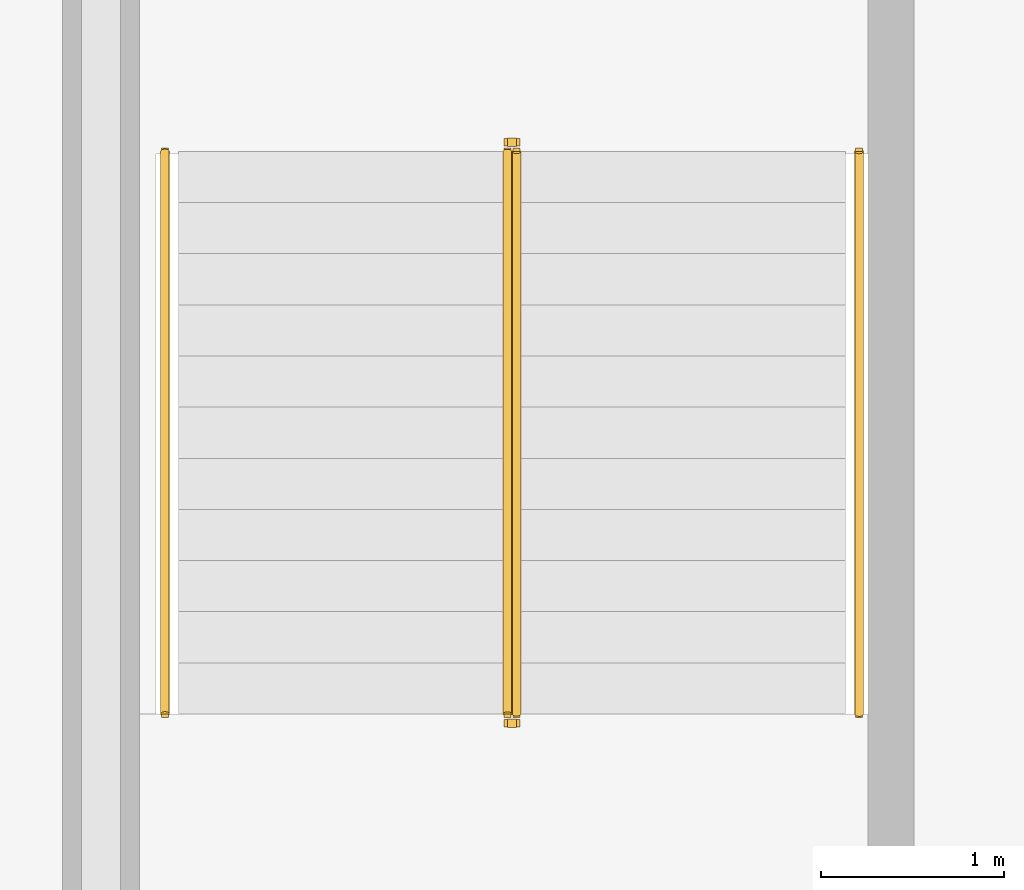
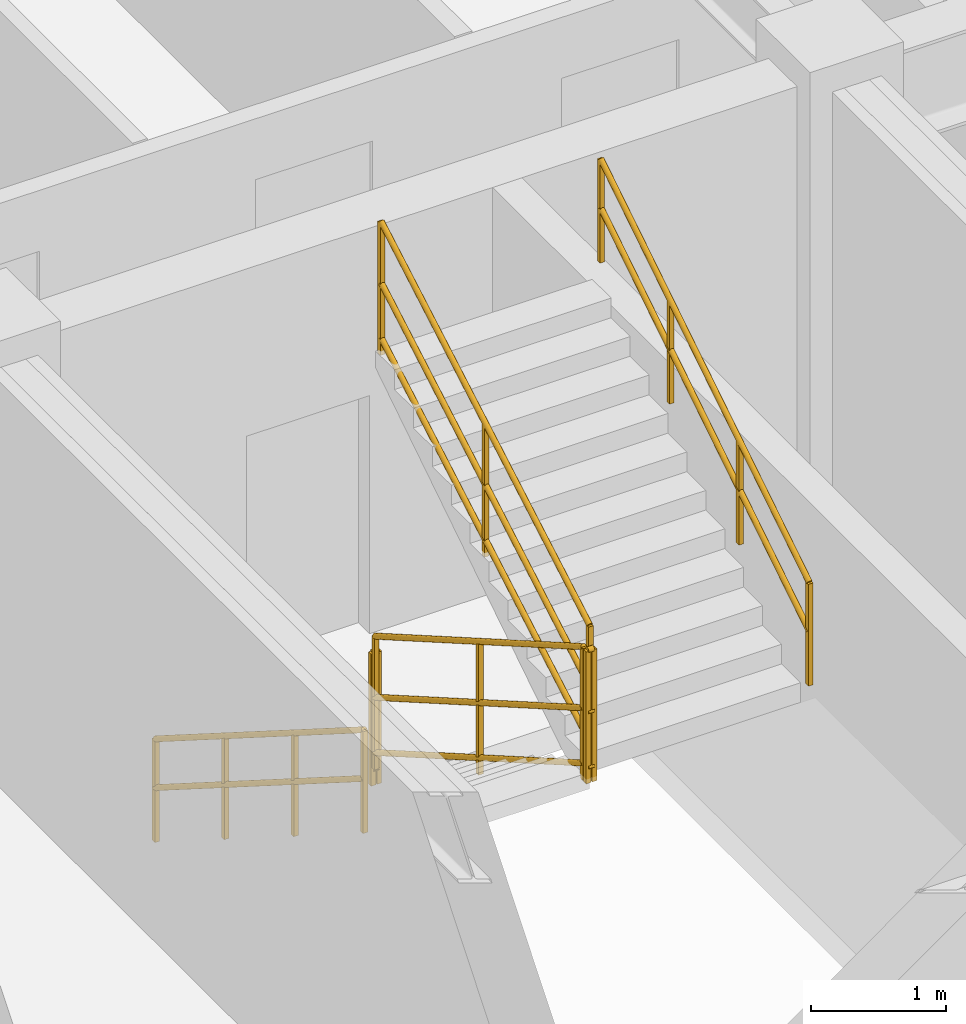
# One storey, part 10 of 10: 6 railings.
"""IFC4 building model written with IfcOpenShell, lengths in metres."""

from ifc_helpers import new_model, entity, si_unit, converted_unit, direction, frame, origin_with_axes, origin_2d_with_axis, place, context, subcontext, project, spatial, rectangle, circle, extrude, material, type_object, element, save


model = new_model("IFC4")

# Units and contexts
model_context = context("Model", 3, precision=1e-05, world=origin_with_axes(), true_north=direction((0.0, 1.0)))
body_context = subcontext(model_context, "Body", "Model", "MODEL_VIEW")
ifc_project = project(units=[si_unit("LENGTHUNIT", "METRE"), si_unit("AREAUNIT", "SQUARE_METRE"), si_unit("VOLUMEUNIT", "CUBIC_METRE"), converted_unit("PLANEANGLEUNIT", "DEGREE", entity("IfcPlaneAngleMeasure", 0.017453292519943295), si_unit("PLANEANGLEUNIT", "RADIAN"), dimensions=[0, 0, 0, 0, 0, 0, 0]), si_unit("MASSUNIT", "GRAM", prefix="KILO"), si_unit("THERMODYNAMICTEMPERATUREUNIT", "KELVIN")], contexts=[model_context])

# Site, building, storey
site_placement = place(None, origin_with_axes())
site = spatial("IfcSite", under=ifc_project, at=site_placement, CompositionType="ELEMENT")
building_placement = place(site_placement, origin_with_axes())
building = spatial("IfcBuilding", under=site, at=building_placement, Name="Varnlund Millrace Tower", CompositionType="ELEMENT")
storey_placement = place(building_placement, frame((0.0, 0.0, 264.6), z_axis=(0.0, 0.0, 1.0), x_axis=(1.0, 0.0, 0.0)))
storey = spatial("IfcBuildingStorey", under=building, at=storey_placement, Name="L65", CompositionType="ELEMENT", Elevation=264.6)

# Railings
ifc_material_1 = material(Name="Painted steel stair well balustrade guard", Category="steel")
railing_type_1 = type_object("IfcRailingType", Name="Type-StairGuard-1150", PredefinedType="GUARDRAIL", material=ifc_material_1)
railing_1_placement = place(storey_placement, frame((0.0, 0.0, -264.6), z_axis=(0.0, 0.0, 1.0), x_axis=(1.0, 0.0, 0.0)))
element("IfcRailing", 1, at=railing_1_placement, inside=storey, type_object=railing_type_1, Name="Type-StairGuard-1150", PredefinedType="GUARDRAIL", context=body_context, shape_type="SweptSolid", body=[
    extrude(circle(Radius=0.024, at=origin_2d_with_axis()), frame((13.625, 35.9, 265.927273), z_axis=(0.0, -0.866696, 0.498836), x_axis=(1.0, 0.0, 0.0)), (0.0, 0.0, 1.0), 3.553725),
    extrude(circle(Radius=0.024, at=origin_2d_with_axis()), frame((13.625, 35.9, 264.877273), z_axis=(0.0, -0.866696, 0.498836), x_axis=(1.0, 0.0, 0.0)), (0.0, 0.0, 1.0), 3.553725),
    extrude(circle(Radius=0.024, at=origin_2d_with_axis()), frame((13.625, 35.9, 265.375273), z_axis=(0.0, -0.866696, 0.498836), x_axis=(1.0, 0.0, 0.0)), (0.0, 0.0, 1.0), 3.553725),
    extrude(rectangle(XDim=0.04, YDim=0.04, at=origin_2d_with_axis()), frame((13.625, 35.9, 264.737273), z_axis=(0.0, 0.0, 1.0), x_axis=(1.0, 0.0, 0.0)), (0.0, 0.0, 1.0), 1.19),
    extrude(rectangle(XDim=0.04, YDim=0.04, at=origin_2d_with_axis()), frame((13.625, 34.36, 265.623636), z_axis=(0.0, 0.0, 1.0), x_axis=(1.0, 0.0, 0.0)), (0.0, 0.0, 1.0), 1.19),
    extrude(rectangle(XDim=0.04, YDim=0.04, at=origin_2d_with_axis()), frame((13.625, 32.82, 266.51), z_axis=(0.0, 0.0, 1.0), x_axis=(1.0, 0.0, 0.0)), (0.0, 0.0, 1.0), 1.19),
])
railing_2_placement = place(storey_placement, frame((0.0, 0.0, -264.6), z_axis=(0.0, 0.0, 1.0), x_axis=(1.0, 0.0, 0.0)))
element("IfcRailing", 2, at=railing_2_placement, inside=storey, type_object=railing_type_1, Name="Type-StairGuard-1150", PredefinedType="GUARDRAIL", context=body_context, shape_type="SweptSolid", body=[
    extrude(circle(Radius=0.024, at=origin_2d_with_axis()), frame((13.675, 32.77, 267.7), z_axis=(-1.0, 0.0, 0.0), x_axis=(0.0, -1.0, 0.0)), (0.0, 0.0, 1.0), 0.05),
    extrude(circle(Radius=0.024, at=origin_2d_with_axis()), frame((13.675, 32.77, 266.65), z_axis=(-1.0, 0.0, 0.0), x_axis=(0.0, -1.0, 0.0)), (0.0, 0.0, 1.0), 0.05),
    extrude(circle(Radius=0.024, at=origin_2d_with_axis()), frame((13.675, 32.77, 267.148), z_axis=(-1.0, 0.0, 0.0), x_axis=(0.0, -1.0, 0.0)), (0.0, 0.0, 1.0), 0.05),
    extrude(rectangle(XDim=0.04, YDim=0.04, at=origin_2d_with_axis()), frame((13.675, 32.77, 266.51), z_axis=(0.0, 0.0, 1.0), x_axis=(1.0, 0.0, 0.0)), (0.0, 0.0, 1.0), 1.19),
    extrude(rectangle(XDim=0.04, YDim=0.04, at=origin_2d_with_axis()), frame((13.625, 32.77, 266.51), z_axis=(0.0, 0.0, 1.0), x_axis=(1.0, 0.0, 0.0)), (0.0, 0.0, 1.0), 1.19),
])
railing_3_placement = place(storey_placement, frame((0.0, 0.0, -264.6), z_axis=(0.0, 0.0, 1.0), x_axis=(1.0, 0.0, 0.0)))
element("IfcRailing", 3, at=railing_3_placement, inside=storey, type_object=railing_type_1, Name="Type-StairGuard-1150", PredefinedType="GUARDRAIL", context=body_context, shape_type="SweptSolid", body=[
    extrude(circle(Radius=0.024, at=origin_2d_with_axis()), frame((13.675, 32.82, 267.877273), z_axis=(0.0, 0.866696, 0.498836), x_axis=(-1.0, 0.0, 0.0)), (0.0, 0.0, 1.0), 3.553725),
    extrude(circle(Radius=0.024, at=origin_2d_with_axis()), frame((13.675, 32.82, 266.827273), z_axis=(0.0, 0.866696, 0.498836), x_axis=(-1.0, 0.0, 0.0)), (0.0, 0.0, 1.0), 3.553725),
    extrude(circle(Radius=0.024, at=origin_2d_with_axis()), frame((13.675, 32.82, 267.325273), z_axis=(0.0, 0.866696, 0.498836), x_axis=(-1.0, 0.0, 0.0)), (0.0, 0.0, 1.0), 3.553725),
    extrude(rectangle(XDim=0.04, YDim=0.04, at=origin_2d_with_axis()), frame((13.675, 32.82, 266.687273), z_axis=(0.0, 0.0, 1.0), x_axis=(1.0, 0.0, 0.0)), (0.0, 0.0, 1.0), 1.19),
    extrude(rectangle(XDim=0.04, YDim=0.04, at=origin_2d_with_axis()), frame((13.675, 34.36, 267.573636), z_axis=(0.0, 0.0, 1.0), x_axis=(1.0, 0.0, 0.0)), (0.0, 0.0, 1.0), 1.19),
    extrude(rectangle(XDim=0.04, YDim=0.04, at=origin_2d_with_axis()), frame((13.675, 35.9, 268.46), z_axis=(0.0, 0.0, 1.0), x_axis=(1.0, 0.0, 0.0)), (0.0, 0.0, 1.0), 1.19),
])
railing_4_placement = place(storey_placement, frame((0.0, 0.0, -264.6), z_axis=(0.0, 0.0, 1.0), x_axis=(1.0, 0.0, 0.0)))
element("IfcRailing", 4, at=railing_4_placement, inside=storey, type_object=railing_type_1, Name="Type-StairGuard-1150", PredefinedType="GUARDRAIL", context=body_context, shape_type="SweptSolid", body=[
    extrude(circle(Radius=0.024, at=origin_2d_with_axis()), frame((13.675, 35.95, 265.75), z_axis=(-1.0, 0.0, 0.0), x_axis=(0.0, -1.0, 0.0)), (0.0, 0.0, 1.0), 0.05),
    extrude(circle(Radius=0.024, at=origin_2d_with_axis()), frame((13.675, 35.95, 264.7), z_axis=(-1.0, 0.0, 0.0), x_axis=(0.0, -1.0, 0.0)), (0.0, 0.0, 1.0), 0.05),
    extrude(circle(Radius=0.024, at=origin_2d_with_axis()), frame((13.675, 35.95, 265.198), z_axis=(-1.0, 0.0, 0.0), x_axis=(0.0, -1.0, 0.0)), (0.0, 0.0, 1.0), 0.05),
    extrude(rectangle(XDim=0.04, YDim=0.04, at=origin_2d_with_axis()), frame((13.675, 35.95, 264.56), z_axis=(0.0, 0.0, 1.0), x_axis=(1.0, 0.0, 0.0)), (0.0, 0.0, 1.0), 1.19),
    extrude(rectangle(XDim=0.04, YDim=0.04, at=origin_2d_with_axis()), frame((13.625, 35.95, 264.56), z_axis=(0.0, 0.0, 1.0), x_axis=(1.0, 0.0, 0.0)), (0.0, 0.0, 1.0), 1.19),
])
ifc_material_2 = material(Name="Brushed architectural bronze stair handrail", Category="aluminium")
railing_type_2 = type_object("IfcRailingType", Name="Type-StairHandrail-900", PredefinedType="HANDRAIL", material=ifc_material_2)
railing_5_placement = place(storey_placement, frame((0.0, 0.0, -264.6), z_axis=(0.0, 0.0, 1.0), x_axis=(1.0, 0.0, 0.0)))
element("IfcRailing", 5, at=railing_5_placement, inside=storey, type_object=railing_type_2, Name="Type-StairHandrail-900", PredefinedType="HANDRAIL", context=body_context, shape_type="SweptSolid", body=[
    extrude(circle(Radius=0.024, at=origin_2d_with_axis()), frame((11.75, 35.9, 265.656995), z_axis=(0.0, -0.844902, 0.534922), x_axis=(1.0, 0.0, 0.0)), (0.0, 0.0, 1.0), 3.645394),
    extrude(circle(Radius=0.024, at=origin_2d_with_axis()), frame((11.75, 35.9, 265.217134), z_axis=(0.0, -0.844902, 0.534922), x_axis=(1.0, 0.0, 0.0)), (0.0, 0.0, 1.0), 3.645394),
    extrude(rectangle(XDim=0.04, YDim=0.04, at=origin_2d_with_axis()), frame((11.75, 35.9, 264.737273), z_axis=(0.0, 0.0, 1.0), x_axis=(1.0, 0.0, 0.0)), (0.0, 0.0, 1.0), 0.919722),
    extrude(rectangle(XDim=0.04, YDim=0.04, at=origin_2d_with_axis()), frame((11.75, 34.873333, 265.387273), z_axis=(0.0, 0.0, 1.0), x_axis=(1.0, 0.0, 0.0)), (0.0, 0.0, 1.0), 0.919722),
    extrude(rectangle(XDim=0.04, YDim=0.04, at=origin_2d_with_axis()), frame((11.75, 33.846667, 266.037273), z_axis=(0.0, 0.0, 1.0), x_axis=(1.0, 0.0, 0.0)), (0.0, 0.0, 1.0), 0.919722),
    extrude(rectangle(XDim=0.04, YDim=0.04, at=origin_2d_with_axis()), frame((11.75, 32.82, 266.687273), z_axis=(0.0, 0.0, 1.0), x_axis=(1.0, 0.0, 0.0)), (0.0, 0.0, 1.0), 0.919722),
])
railing_6_placement = place(storey_placement, frame((0.0, 0.0, -264.6), z_axis=(0.0, 0.0, 1.0), x_axis=(1.0, 0.0, 0.0)))
element("IfcRailing", 6, at=railing_6_placement, inside=storey, type_object=railing_type_2, Name="Type-StairHandrail-900", PredefinedType="HANDRAIL", context=body_context, shape_type="SweptSolid", body=[
    extrude(circle(Radius=0.024, at=origin_2d_with_axis()), frame((15.55, 32.82, 267.606995), z_axis=(0.0, 0.844902, 0.534922), x_axis=(-1.0, 0.0, 0.0)), (0.0, 0.0, 1.0), 3.645394),
    extrude(circle(Radius=0.024, at=origin_2d_with_axis()), frame((15.55, 32.82, 267.167134), z_axis=(0.0, 0.844902, 0.534922), x_axis=(-1.0, 0.0, 0.0)), (0.0, 0.0, 1.0), 3.645394),
    extrude(rectangle(XDim=0.04, YDim=0.04, at=origin_2d_with_axis()), frame((15.55, 32.82, 266.687273), z_axis=(0.0, 0.0, 1.0), x_axis=(1.0, 0.0, 0.0)), (0.0, 0.0, 1.0), 0.919722),
    extrude(rectangle(XDim=0.04, YDim=0.04, at=origin_2d_with_axis()), frame((15.55, 33.846667, 267.337273), z_axis=(0.0, 0.0, 1.0), x_axis=(1.0, 0.0, 0.0)), (0.0, 0.0, 1.0), 0.919722),
    extrude(rectangle(XDim=0.04, YDim=0.04, at=origin_2d_with_axis()), frame((15.55, 34.873333, 267.987273), z_axis=(0.0, 0.0, 1.0), x_axis=(1.0, 0.0, 0.0)), (0.0, 0.0, 1.0), 0.919722),
    extrude(rectangle(XDim=0.04, YDim=0.04, at=origin_2d_with_axis()), frame((15.55, 35.9, 268.637273), z_axis=(0.0, 0.0, 1.0), x_axis=(1.0, 0.0, 0.0)), (0.0, 0.0, 1.0), 0.919722),
])

save(model, "model.ifc")
